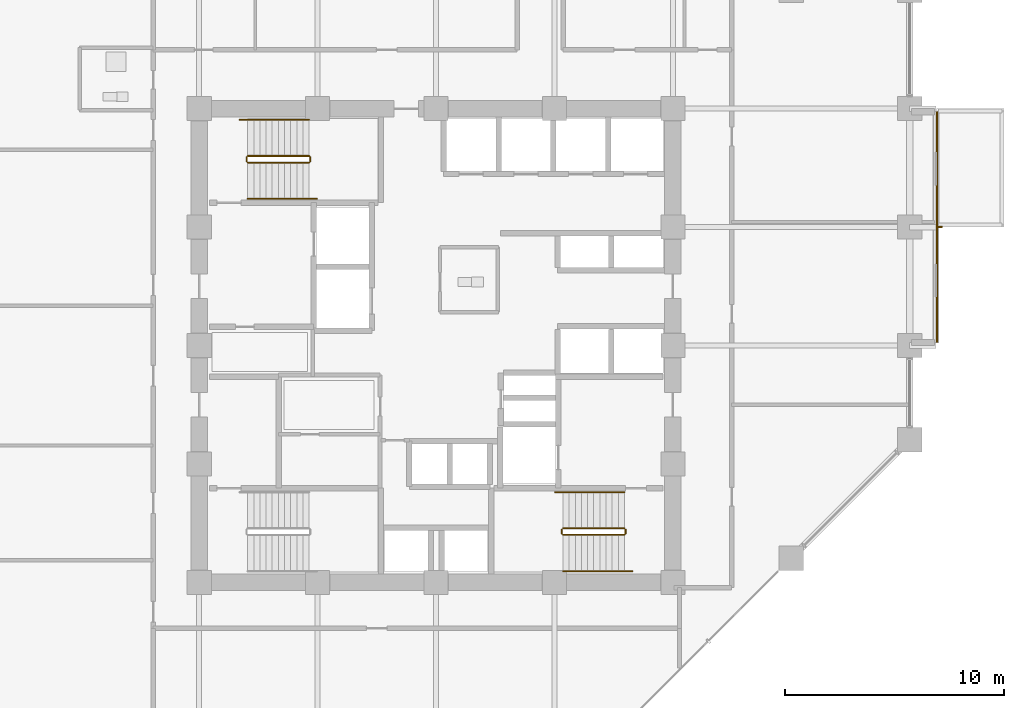
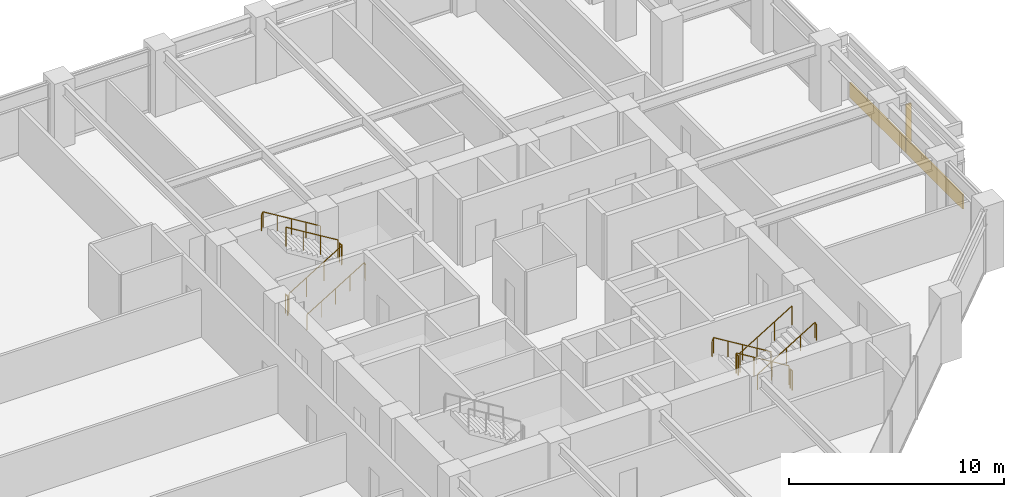
# One storey, part 24 of 25: 12 railings, 1 covering, 1 shading device.
"""IFC4 building model written with IfcOpenShell, lengths in metres."""

from ifc_helpers import new_model, si_unit, direction, frame, origin, origin_2d, place, context, subcontext, project, spatial, rectangle, circle, extrude, material, layer, layer_set, type_object, element, save


model = new_model("IFC4")

# Units and contexts
model_context = context("Model", 3, precision=1e-05, world=origin(), true_north=direction((0.0, 1.0)))
body_context = subcontext(model_context, "Body", "Model", "MODEL_VIEW")
ifc_project = project(units=[si_unit("LENGTHUNIT", "METRE"), si_unit("AREAUNIT", "SQUARE_METRE"), si_unit("VOLUMEUNIT", "CUBIC_METRE"), si_unit("PLANEANGLEUNIT", "RADIAN"), si_unit("MASSUNIT", "GRAM", prefix="KILO")], contexts=[model_context])

# Site, building, storey
site_placement = place(None, origin())
site = spatial("IfcSite", under=ifc_project, at=site_placement, CompositionType="ELEMENT")
building_placement = place(site_placement, origin())
building = spatial("IfcBuilding", under=site, at=building_placement, Name="Surkhivell Harbour Commons", CompositionType="ELEMENT")
storey_placement = place(building_placement, frame((0.0, 0.0, 94.5)))
storey = spatial("IfcBuildingStorey", under=building, at=storey_placement, Name="L24", CompositionType="ELEMENT", Elevation=94.5)

# Covering
ifc_material_1 = material(Name="Vermilion-coral enamelled aluminium cassette panel", Category="aluminium")
ifc_layer = layer(ifc_material_1, 0.074951171875)
ifc_layer_set = layer_set([ifc_layer], Name="Vermilion-coral enamelled aluminium cassette panel")
covering_type = type_object("IfcCoveringType", Name="COV-CLAD-VER", PredefinedType="CLADDING", material=ifc_layer_set)
covering_placement = place(storey_placement, frame((22.840087890625, 5.39990234375, 0.0), z_axis=(0.0, 0.0, 1.0), x_axis=(1.0, 0.0, 0.0)))
element("IfcCovering", 1, at=covering_placement, inside=storey, type_object=covering_type, Name="L24 Coloured-Panel Box Spandrel Cassette 01", PredefinedType="CLADDING", context=body_context, shape_type="SweptSolid", body=[
    extrude(rectangle(XDim=0.080078125, YDim=10.5, at=origin_2d()), origin(), (0.0, 0.0, 1.0), 0.840087890625),
])

# Railings
ifc_material_2 = material(Name="Galvanised and painted steel S355 guard rail", Category="steel")
railing_type_1 = type_object("IfcRailingType", Name="RAL-ST-GRD1100", PredefinedType="GUARDRAIL", material=ifc_material_2)
railing_1_placement = place(storey_placement, frame((-8.590087890625, 8.340087890625, 0.17041015625)))
element("IfcRailing", 2, at=railing_1_placement, inside=storey, type_object=railing_type_1, Name="L24 ST1 stair guard 1", PredefinedType="GUARDRAIL", context=body_context, shape_type="SweptSolid", body=[
    extrude(circle(Radius=0.02392578125, at=origin_2d()), frame((0.0, 0.0, 1.076171875), z_axis=(0.854169791009, 0.0, 0.51999420009), x_axis=(0.0, 1.0, 0.0)), (0.0, 0.0, 1.0), 3.278076171875),
    extrude(circle(Radius=0.02099609375, at=origin_2d()), origin(), (0.0, 0.0, 1.0), 1.052001953125),
    extrude(circle(Radius=0.02099609375, at=origin_2d()), frame((0.933349609375, 0.0, 0.568115234375)), (0.0, 0.0, 1.0), 1.052001953125),
    extrude(circle(Radius=0.02099609375, at=origin_2d()), frame((1.86669921875, 0.0, 1.136474609375)), (0.0, 0.0, 1.0), 1.052001953125),
    extrude(circle(Radius=0.02099609375, at=origin_2d()), frame((2.800048828125, 0.0, 1.70458984375)), (0.0, 0.0, 1.0), 1.052001953125),
])
railing_2_placement = place(storey_placement, frame((-5.739990234375, 8.389892578125, 1.875)))
element("IfcRailing", 3, at=railing_2_placement, inside=storey, type_object=railing_type_1, Name="L24 ST1 stair guard 2", PredefinedType="GUARDRAIL", context=body_context, shape_type="SweptSolid", body=[
    extrude(circle(Radius=0.02392578125, at=origin_2d()), frame((0.0, 0.0, 1.076171875), z_axis=(0.0, 1.0, 0.0), x_axis=(-1.0, 0.0, 0.0)), (0.0, 0.0, 1.0), 0.2001953125),
    extrude(circle(Radius=0.02099609375, at=origin_2d()), origin(), (0.0, 0.0, 1.0), 1.052001953125),
    extrude(circle(Radius=0.02099609375, at=origin_2d()), frame((0.0, 0.2001953125, 0.0)), (0.0, 0.0, 1.0), 1.052001953125),
])
railing_3_placement = place(storey_placement, frame((-5.7900390625, 8.639892578125, 2.04541015625)))
element("IfcRailing", 4, at=railing_3_placement, inside=storey, type_object=railing_type_1, Name="L24 ST1 stair guard 3", PredefinedType="GUARDRAIL", context=body_context, shape_type="SweptSolid", body=[
    extrude(circle(Radius=0.02392578125, at=origin_2d()), frame((0.0, 0.0, 1.076171875), z_axis=(-0.854169791009, 0.0, 0.51999420009), x_axis=(0.0, -1.0, 0.0)), (0.0, 0.0, 1.0), 3.278076171875),
    extrude(circle(Radius=0.02099609375, at=origin_2d()), origin(), (0.0, 0.0, 1.0), 1.052001953125),
    extrude(circle(Radius=0.02099609375, at=origin_2d()), frame((-0.933349609375, 0.0, 0.568115234375)), (0.0, 0.0, 1.0), 1.052001953125),
    extrude(circle(Radius=0.02099609375, at=origin_2d()), frame((-1.86669921875, 0.0, 1.136474609375)), (0.0, 0.0, 1.0), 1.052001953125),
    extrude(circle(Radius=0.02099609375, at=origin_2d()), frame((-2.800048828125, 0.0, 1.70458984375)), (0.0, 0.0, 1.0), 1.052001953125),
])
railing_4_placement = place(storey_placement, frame((-8.639892578125, 8.389892578125, 0.0)))
element("IfcRailing", 5, at=railing_4_placement, inside=storey, type_object=railing_type_1, Name="L24 ST1 stair guard 4", PredefinedType="GUARDRAIL", context=body_context, shape_type="SweptSolid", body=[
    extrude(circle(Radius=0.02392578125, at=origin_2d()), frame((0.0, 0.0, 1.076171875), z_axis=(0.0, 1.0, 0.0), x_axis=(-1.0, 0.0, 0.0)), (0.0, 0.0, 1.0), 0.2001953125),
    extrude(circle(Radius=0.02099609375, at=origin_2d()), origin(), (0.0, 0.0, 1.0), 1.052001953125),
    extrude(circle(Radius=0.02099609375, at=origin_2d()), frame((0.0, 0.2001953125, 0.0)), (0.0, 0.0, 1.0), 1.052001953125),
])
railing_5_placement = place(storey_placement, frame((8.590087890625, -8.340087890625, 0.17041015625)))
element("IfcRailing", 6, at=railing_5_placement, inside=storey, type_object=railing_type_1, Name="L24 ST2 stair guard 1", PredefinedType="GUARDRAIL", context=body_context, shape_type="SweptSolid", body=[
    extrude(circle(Radius=0.02392578125, at=origin_2d()), frame((0.0, 0.0, 1.076171875), z_axis=(-0.854169791009, 0.0, 0.51999420009), x_axis=(0.0, -1.0, 0.0)), (0.0, 0.0, 1.0), 3.278076171875),
    extrude(circle(Radius=0.02099609375, at=origin_2d()), origin(), (0.0, 0.0, 1.0), 1.052001953125),
    extrude(circle(Radius=0.02099609375, at=origin_2d()), frame((-0.933349609375, 0.0, 0.568115234375)), (0.0, 0.0, 1.0), 1.052001953125),
    extrude(circle(Radius=0.02099609375, at=origin_2d()), frame((-1.86669921875, 0.0, 1.136474609375)), (0.0, 0.0, 1.0), 1.052001953125),
    extrude(circle(Radius=0.02099609375, at=origin_2d()), frame((-2.800048828125, 0.0, 1.70458984375)), (0.0, 0.0, 1.0), 1.052001953125),
])
railing_6_placement = place(storey_placement, frame((5.739990234375, -8.389892578125, 1.875)))
element("IfcRailing", 7, at=railing_6_placement, inside=storey, type_object=railing_type_1, Name="L24 ST2 stair guard 2", PredefinedType="GUARDRAIL", context=body_context, shape_type="SweptSolid", body=[
    extrude(circle(Radius=0.02392578125, at=origin_2d()), frame((0.0, 0.0, 1.076171875), z_axis=(0.0, -1.0, 0.0), x_axis=(1.0, 0.0, 0.0)), (0.0, 0.0, 1.0), 0.2001953125),
    extrude(circle(Radius=0.02099609375, at=origin_2d()), origin(), (0.0, 0.0, 1.0), 1.052001953125),
    extrude(circle(Radius=0.02099609375, at=origin_2d()), frame((0.0, -0.2001953125, 0.0)), (0.0, 0.0, 1.0), 1.052001953125),
])
railing_7_placement = place(storey_placement, frame((5.7900390625, -8.639892578125, 2.04541015625)))
element("IfcRailing", 8, at=railing_7_placement, inside=storey, type_object=railing_type_1, Name="L24 ST2 stair guard 3", PredefinedType="GUARDRAIL", context=body_context, shape_type="SweptSolid", body=[
    extrude(circle(Radius=0.02392578125, at=origin_2d()), frame((0.0, 0.0, 1.076171875), z_axis=(0.854169791009, 0.0, 0.51999420009), x_axis=(0.0, 1.0, 0.0)), (0.0, 0.0, 1.0), 3.278076171875),
    extrude(circle(Radius=0.02099609375, at=origin_2d()), origin(), (0.0, 0.0, 1.0), 1.052001953125),
    extrude(circle(Radius=0.02099609375, at=origin_2d()), frame((0.933349609375, 0.0, 0.568115234375)), (0.0, 0.0, 1.0), 1.052001953125),
    extrude(circle(Radius=0.02099609375, at=origin_2d()), frame((1.86669921875, 0.0, 1.136474609375)), (0.0, 0.0, 1.0), 1.052001953125),
    extrude(circle(Radius=0.02099609375, at=origin_2d()), frame((2.800048828125, 0.0, 1.70458984375)), (0.0, 0.0, 1.0), 1.052001953125),
])
railing_8_placement = place(storey_placement, frame((8.639892578125, -8.389892578125, 0.0)))
element("IfcRailing", 9, at=railing_8_placement, inside=storey, type_object=railing_type_1, Name="L24 ST2 stair guard 4", PredefinedType="GUARDRAIL", context=body_context, shape_type="SweptSolid", body=[
    extrude(circle(Radius=0.02392578125, at=origin_2d()), frame((0.0, 0.0, 1.076171875), z_axis=(0.0, -1.0, 0.0), x_axis=(1.0, 0.0, 0.0)), (0.0, 0.0, 1.0), 0.2001953125),
    extrude(circle(Radius=0.02099609375, at=origin_2d()), origin(), (0.0, 0.0, 1.0), 1.052001953125),
    extrude(circle(Radius=0.02099609375, at=origin_2d()), frame((0.0, -0.2001953125, 0.0)), (0.0, 0.0, 1.0), 1.052001953125),
])
ifc_material_3 = material(Name="Brushed stainless steel S355 handrail", Category="steel")
railing_type_2 = type_object("IfcRailingType", Name="RAL-ST-HND900", PredefinedType="HANDRAIL", material=ifc_material_3)
railing_9_placement = place(storey_placement, frame((-8.590087890625, 6.68994140625, 0.17041015625)))
element("IfcRailing", 10, at=railing_9_placement, inside=storey, type_object=railing_type_2, Name="L24 ST1 stair handrail 1", PredefinedType="HANDRAIL", context=body_context, shape_type="SweptSolid", body=[
    extrude(circle(Radius=0.02392578125, at=origin_2d()), frame((0.0, 0.0, 0.8759765625), z_axis=(0.854177636135, 0.0, 0.519981313056), x_axis=(0.0, 1.0, 0.0)), (0.0, 0.0, 1.0), 3.60595703125),
    extrude(circle(Radius=0.02392578125, at=origin_2d()), frame((3.080078125, 0.0, 2.7509765625), z_axis=(0.425297416671, 0.0, -0.905053648892), x_axis=(0.0, 1.0, 0.0)), (0.0, 0.0, 1.0), 0.188232421875),
    extrude(circle(Radius=0.02099609375, at=origin_2d()), origin(), (0.0, 0.0, 1.0), 0.851806640625),
    extrude(circle(Radius=0.02099609375, at=origin_2d()), frame((0.77001953125, 0.0, 0.46875)), (0.0, 0.0, 1.0), 0.851806640625),
    extrude(circle(Radius=0.02099609375, at=origin_2d()), frame((1.5400390625, 0.0, 0.9375)), (0.0, 0.0, 1.0), 0.851806640625),
    extrude(circle(Radius=0.02099609375, at=origin_2d()), frame((2.31005859375, 0.0, 1.40625)), (0.0, 0.0, 1.0), 0.851806640625),
    extrude(circle(Radius=0.02099609375, at=origin_2d()), frame((3.080078125, 0.0, 1.875)), (0.0, 0.0, 1.0), 0.851806640625),
    extrude(circle(Radius=0.02099609375, at=origin_2d()), frame((3.16015625, 0.0, 1.70458984375)), (0.0, 0.0, 1.0), 0.851806640625),
])
railing_10_placement = place(storey_placement, frame((-5.7900390625, 10.2900390625, 2.04541015625)))
element("IfcRailing", 11, at=railing_10_placement, inside=storey, type_object=railing_type_2, Name="L24 ST1 stair handrail 2", PredefinedType="HANDRAIL", context=body_context, shape_type="SweptSolid", body=[
    extrude(circle(Radius=0.02392578125, at=origin_2d()), frame((0.0, 0.0, 0.8759765625), z_axis=(-0.854177636135, 0.0, 0.519981313056), x_axis=(0.0, -1.0, 0.0)), (0.0, 0.0, 1.0), 3.60595703125),
    extrude(circle(Radius=0.02392578125, at=origin_2d()), frame((-3.080078125, 0.0, 2.7509765625), z_axis=(-0.424234432967, 0.0, -0.905552398199), x_axis=(0.0, -1.0, 0.0)), (0.0, 0.0, 1.0), 0.188232421875),
    extrude(circle(Radius=0.02099609375, at=origin_2d()), origin(), (0.0, 0.0, 1.0), 0.851806640625),
    extrude(circle(Radius=0.02099609375, at=origin_2d()), frame((-0.77001953125, 0.0, 0.46875)), (0.0, 0.0, 1.0), 0.851806640625),
    extrude(circle(Radius=0.02099609375, at=origin_2d()), frame((-1.5400390625, 0.0, 0.9375)), (0.0, 0.0, 1.0), 0.851806640625),
    extrude(circle(Radius=0.02099609375, at=origin_2d()), frame((-2.31005859375, 0.0, 1.40625)), (0.0, 0.0, 1.0), 0.851806640625),
    extrude(circle(Radius=0.02099609375, at=origin_2d()), frame((-3.080078125, 0.0, 1.875)), (0.0, 0.0, 1.0), 0.851806640625),
    extrude(circle(Radius=0.02099609375, at=origin_2d()), frame((-3.159912109375, 0.0, 1.70458984375)), (0.0, 0.0, 1.0), 0.851806640625),
])
railing_11_placement = place(storey_placement, frame((8.590087890625, -6.68994140625, 0.17041015625)))
element("IfcRailing", 12, at=railing_11_placement, inside=storey, type_object=railing_type_2, Name="L24 ST2 stair handrail 1", PredefinedType="HANDRAIL", context=body_context, shape_type="SweptSolid", body=[
    extrude(circle(Radius=0.02392578125, at=origin_2d()), frame((0.0, 0.0, 0.8759765625), z_axis=(-0.854177636135, 0.0, 0.519981313056), x_axis=(0.0, -1.0, 0.0)), (0.0, 0.0, 1.0), 3.60595703125),
    extrude(circle(Radius=0.02392578125, at=origin_2d()), frame((-3.080078125, 0.0, 2.7509765625), z_axis=(-0.425297416671, 0.0, -0.905053648892), x_axis=(0.0, -1.0, 0.0)), (0.0, 0.0, 1.0), 0.188232421875),
    extrude(circle(Radius=0.02099609375, at=origin_2d()), origin(), (0.0, 0.0, 1.0), 0.851806640625),
    extrude(circle(Radius=0.02099609375, at=origin_2d()), frame((-0.77001953125, 0.0, 0.46875)), (0.0, 0.0, 1.0), 0.851806640625),
    extrude(circle(Radius=0.02099609375, at=origin_2d()), frame((-1.5400390625, 0.0, 0.9375)), (0.0, 0.0, 1.0), 0.851806640625),
    extrude(circle(Radius=0.02099609375, at=origin_2d()), frame((-2.31005859375, 0.0, 1.40625)), (0.0, 0.0, 1.0), 0.851806640625),
    extrude(circle(Radius=0.02099609375, at=origin_2d()), frame((-3.080078125, 0.0, 1.875)), (0.0, 0.0, 1.0), 0.851806640625),
    extrude(circle(Radius=0.02099609375, at=origin_2d()), frame((-3.16015625, 0.0, 1.70458984375)), (0.0, 0.0, 1.0), 0.851806640625),
])
railing_12_placement = place(storey_placement, frame((5.7900390625, -10.2900390625, 2.04541015625)))
element("IfcRailing", 13, at=railing_12_placement, inside=storey, type_object=railing_type_2, Name="L24 ST2 stair handrail 2", PredefinedType="HANDRAIL", context=body_context, shape_type="SweptSolid", body=[
    extrude(circle(Radius=0.02392578125, at=origin_2d()), frame((0.0, 0.0, 0.8759765625), z_axis=(0.854177636135, 0.0, 0.519981313056), x_axis=(0.0, 1.0, 0.0)), (0.0, 0.0, 1.0), 3.60595703125),
    extrude(circle(Radius=0.02392578125, at=origin_2d()), frame((3.080078125, 0.0, 2.7509765625), z_axis=(0.424234432967, 0.0, -0.905552398199), x_axis=(0.0, 1.0, 0.0)), (0.0, 0.0, 1.0), 0.188232421875),
    extrude(circle(Radius=0.02099609375, at=origin_2d()), origin(), (0.0, 0.0, 1.0), 0.851806640625),
    extrude(circle(Radius=0.02099609375, at=origin_2d()), frame((0.77001953125, 0.0, 0.46875)), (0.0, 0.0, 1.0), 0.851806640625),
    extrude(circle(Radius=0.02099609375, at=origin_2d()), frame((1.5400390625, 0.0, 0.9375)), (0.0, 0.0, 1.0), 0.851806640625),
    extrude(circle(Radius=0.02099609375, at=origin_2d()), frame((2.31005859375, 0.0, 1.40625)), (0.0, 0.0, 1.0), 0.851806640625),
    extrude(circle(Radius=0.02099609375, at=origin_2d()), frame((3.080078125, 0.0, 1.875)), (0.0, 0.0, 1.0), 0.851806640625),
    extrude(circle(Radius=0.02099609375, at=origin_2d()), frame((3.159912109375, 0.0, 1.70458984375)), (0.0, 0.0, 1.0), 0.851806640625),
])

# Shading device
ifc_material_4 = material(Name="Champagne anodised aluminium solar fin", Category="aluminium")
shading_device_type = type_object("IfcShadingDeviceType", Name="SHD-FIN-SLIM", PredefinedType="USERDEFINED", material=ifc_material_4)
shading_device_placement = place(storey_placement, frame((22.93994140625, 5.39990234375, 0.0048828125), z_axis=(0.0, 0.0, 1.0), x_axis=(1.0, 0.0, 0.0)))
element("IfcShadingDevice", 14, at=shading_device_placement, inside=storey, type_object=shading_device_type, Name="L24 Coloured-Box Solar Fin 01", ObjectType="FIN", PredefinedType="USERDEFINED", context=body_context, shape_type="SweptSolid", body=[
    extrude(rectangle(XDim=0.280029296875, YDim=0.080078125, at=origin_2d()), origin(), (0.0, 0.0, 1.0), 2.75),
])

save(model, "model.ifc")
